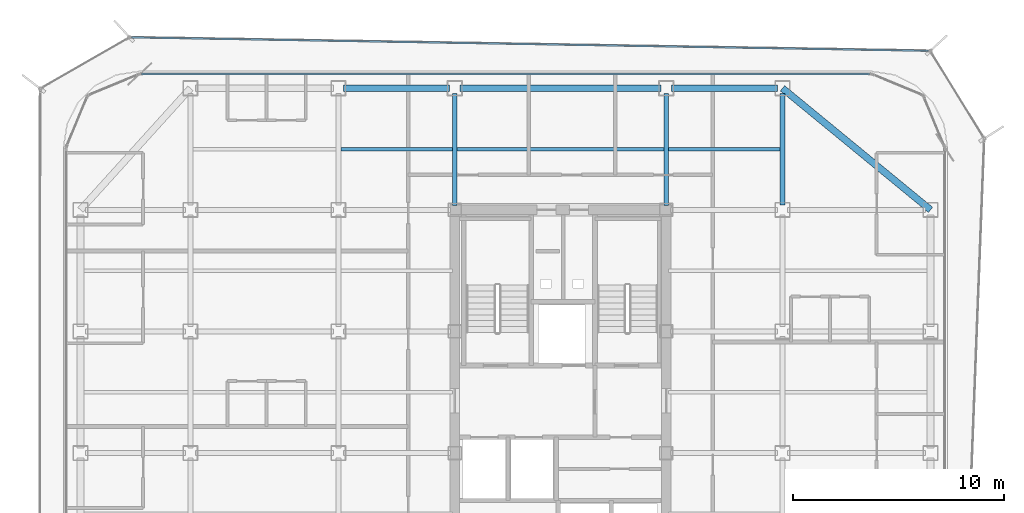
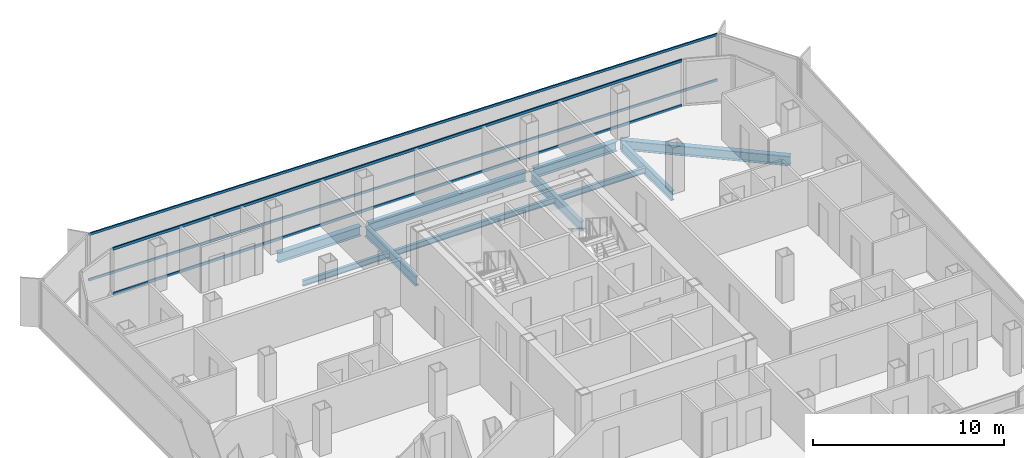
# One storey, part 7 of 16: 10 beams, 4 members, 2 elements without a shape of their own.
"""IFC4 building model written with IfcOpenShell, lengths in metres."""

from ifc_helpers import new_model, si_unit, direction, frame, origin, origin_2d, place, context, subcontext, project, spatial, hollow_rectangle, i_section, extrude, source, transform, mapped, material, layer, layer_set, material_profile, profile_set, type_object, element, aggregate, save


model = new_model("IFC4")

# Units and contexts
model_context = context("Model", 3, precision=1e-05, world=origin(), true_north=direction((0.0, 1.0)))
body_context = subcontext(model_context, "Body", "Model", "MODEL_VIEW")
ifc_project = project(units=[si_unit("LENGTHUNIT", "METRE"), si_unit("AREAUNIT", "SQUARE_METRE"), si_unit("VOLUMEUNIT", "CUBIC_METRE"), si_unit("PLANEANGLEUNIT", "RADIAN"), si_unit("MASSUNIT", "GRAM", prefix="KILO")], contexts=[model_context])

# Site, building, storey
site_placement = place(None, origin())
site = spatial("IfcSite", under=ifc_project, at=site_placement, CompositionType="ELEMENT")
building_placement = place(site_placement, origin())
building = spatial("IfcBuilding", under=site, at=building_placement, Name="Kolveth Station Tower", CompositionType="ELEMENT")
storey_placement = place(building_placement, frame((0.0, 0.0, 156.10009765625)))
storey = spatial("IfcBuildingStorey", under=building, at=storey_placement, Name="L43", CompositionType="ELEMENT", Elevation=156.10009765625)

# Beams
ifc_material_1 = material(Name="Steel S355", Category="steel")
ifc_material_profile_1 = material_profile(ifc_material_1, i_section(OverallWidth=0.323974609375, OverallDepth=0.611083984375, WebThickness=0.0126953125, FlangeThickness=0.01904296875, at=origin_2d()), Name="W610x155")
ifc_profile_set_1 = profile_set([ifc_material_profile_1], Name="Steel S355")
beam_type_1 = type_object("IfcBeamType", Name="Beam_SP2", PredefinedType="SPANDREL", material=ifc_profile_set_1)
shared_shape_1 = source(origin(), body_context, "Body", "SweptSolid", [
    extrude(i_section(OverallWidth=0.323974609375, OverallDepth=0.611083984375, WebThickness=0.0126953125, FlangeThickness=0.01904296875, at=origin_2d()), origin(), (0.0, 0.0, 1.0), 5.02001953125),
])
for number, where, z_axis, x_axis, name in (
    (1, (13.239990234375, 34.5, -0.5556640625), (1.0, 0.0, 0.0), (0.0, 1.0, 0.0), "L43 Perimeter Spandrel BM-L43-PN-2"),
    (2, (28.739990234375, 34.5, -0.5556640625), (1.0, 0.0, 0.0), (0.0, 1.0, 0.0), "L43 Perimeter Spandrel BM-L43-PN-4"),
):
    element("IfcBeam", number, at=place(storey_placement, frame(where, z_axis=z_axis, x_axis=x_axis)), inside=storey, type_object=beam_type_1, Name=name, PredefinedType="SPANDREL", context=body_context, shape_type="MappedRepresentation", body=[
        mapped(shared_shape_1, transform((0.0, 0.0, 0.0), x_axis=(1.0, 0.0, 0.0), y_axis=(0.0, 1.0, 0.0), z_axis=(0.0, 0.0, 1.0), scale=1.0)),
    ])
shared_shape_2 = source(origin(), body_context, "Body", "SweptSolid", [
    extrude(i_section(OverallWidth=0.323974609375, OverallDepth=0.611083984375, WebThickness=0.0126953125, FlangeThickness=0.01904296875, at=origin_2d()), origin(), (0.0, 0.0, 1.0), 9.52001953125),
])
beam_1_placement = place(storey_placement, frame((18.739990234375, 34.5, -0.5556640625), z_axis=(1.0, 0.0, 0.0), x_axis=(0.0, 1.0, 0.0)))
element("IfcBeam", 3, at=beam_1_placement, inside=storey, type_object=beam_type_1, Name="L43 Perimeter Spandrel BM-L43-PN-3", PredefinedType="SPANDREL", context=body_context, shape_type="MappedRepresentation", body=[
    mapped(shared_shape_2, transform((0.0, 0.0, 0.0), x_axis=(1.0, 0.0, 0.0), y_axis=(0.0, 1.0, 0.0), z_axis=(0.0, 0.0, 1.0), scale=1.0)),
])
shared_shape_3 = source(origin(), body_context, "Body", "SweptSolid", [
    extrude(i_section(OverallWidth=0.323974609375, OverallDepth=0.611083984375, WebThickness=0.0126953125, FlangeThickness=0.01904296875, at=origin_2d()), origin(), (0.0, 0.0, 1.0), 9.058837890625),
])
beam_2_placement = place(storey_placement, frame((41.0, 28.75, -0.5556640625), z_axis=(-0.772726254525, 0.63473942336, 0.0), x_axis=(-0.63473942336, -0.772726254525, 0.0)))
element("IfcBeam", 4, at=beam_2_placement, inside=storey, type_object=beam_type_1, Name="L43 Corner Edge Girder BM-L43-CNR-NE", PredefinedType="SPANDREL", context=body_context, shape_type="MappedRepresentation", body=[
    mapped(shared_shape_3, transform((0.0, 0.0, 0.0), x_axis=(1.0, 0.0, 0.0), y_axis=(0.0, 1.0, 0.0), z_axis=(0.0, 0.0, 1.0), scale=1.0)),
])
ifc_material_profile_2 = material_profile(ifc_material_1, i_section(OverallWidth=0.22900390625, OverallDepth=0.612060546875, WebThickness=0.011962890625, FlangeThickness=0.01953125, at=origin_2d()), Name="W610x125")
ifc_profile_set_2 = profile_set([ifc_material_profile_2], Name="Steel S355")
beam_type_2 = type_object("IfcBeamType", Name="Beam_B5", PredefinedType="BEAM", material=ifc_profile_set_2)
shared_shape_4 = source(origin(), body_context, "Body", "SweptSolid", [
    extrude(i_section(OverallWidth=0.22900390625, OverallDepth=0.612060546875, WebThickness=0.011962890625, FlangeThickness=0.01953125, at=origin_2d()), origin(), (0.0, 0.0, 1.0), 5.27001953125),
])
beam_3_placement = place(storey_placement, frame((34.0, 28.989990234375, -0.55615234375), z_axis=(0.0, 1.0, 0.0), x_axis=(-1.0, 0.0, 0.0)))
element("IfcBeam", 5, at=beam_3_placement, inside=storey, type_object=beam_type_2, Name="L43 Primary Girder BM-L43-GX340-6", PredefinedType="BEAM", context=body_context, shape_type="MappedRepresentation", body=[
    mapped(shared_shape_4, transform((0.0, 0.0, 0.0), x_axis=(1.0, 0.0, 0.0), y_axis=(0.0, 1.0, 0.0), z_axis=(0.0, 0.0, 1.0), scale=1.0)),
])
shared_shape_5 = source(origin(), body_context, "Body", "SweptSolid", [
    extrude(i_section(OverallWidth=0.22900390625, OverallDepth=0.612060546875, WebThickness=0.011962890625, FlangeThickness=0.01953125, at=origin_2d()), origin(), (0.0, 0.0, 1.0), 5.31005859375),
])
for number, where, z_axis, x_axis, name in (
    (6, (18.5, 28.949951171875, -0.55615234375), (0.0, 1.0, 0.0), (-1.0, 0.0, 0.0), "L43 Primary Girder BM-L43-GX185-6"),
    (7, (28.5, 28.949951171875, -0.55615234375), (0.0, 1.0, 0.0), (-1.0, 0.0, 0.0), "L43 Primary Girder BM-L43-GX285-6"),
):
    element("IfcBeam", number, at=place(storey_placement, frame(where, z_axis=z_axis, x_axis=x_axis)), inside=storey, type_object=beam_type_2, Name=name, PredefinedType="BEAM", context=body_context, shape_type="MappedRepresentation", body=[
        mapped(shared_shape_5, transform((0.0, 0.0, 0.0), x_axis=(1.0, 0.0, 0.0), y_axis=(0.0, 1.0, 0.0), z_axis=(0.0, 0.0, 1.0), scale=1.0)),
    ])
ifc_material_profile_3 = material_profile(ifc_material_1, i_section(OverallWidth=0.1708984375, OverallDepth=0.35205078125, WebThickness=0.0068359375, FlangeThickness=0.009765625, at=origin_2d()), Name="W360x44")
ifc_profile_set_3 = profile_set([ifc_material_profile_3], Name="Steel S355")
beam_type_3 = type_object("IfcBeamType", Name="Beam_J2", PredefinedType="JOIST", material=ifc_profile_set_3)
shared_shape_6 = source(origin(), body_context, "Body", "SweptSolid", [
    extrude(i_section(OverallWidth=0.1708984375, OverallDepth=0.35205078125, WebThickness=0.0068359375, FlangeThickness=0.009765625, at=origin_2d()), origin(), (0.0, 0.0, 1.0), 5.27490234375),
])
for number, where, z_axis, x_axis, name in (
    (8, (13.112548828125, 31.625, -0.426025390625), (1.0, 0.0, 0.0), (0.0, 1.0, 0.0), "L43 Secondary Joist JST-L43-3-6"),
    (9, (28.612548828125, 31.625, -0.426025390625), (1.0, 0.0, 0.0), (0.0, 1.0, 0.0), "L43 Secondary Joist JST-L43-5-6"),
):
    element("IfcBeam", number, at=place(storey_placement, frame(where, z_axis=z_axis, x_axis=x_axis)), inside=storey, type_object=beam_type_3, Name=name, PredefinedType="JOIST", context=body_context, shape_type="MappedRepresentation", body=[
        mapped(shared_shape_6, transform((0.0, 0.0, 0.0), x_axis=(1.0, 0.0, 0.0), y_axis=(0.0, 1.0, 0.0), z_axis=(0.0, 0.0, 1.0), scale=1.0)),
    ])
shared_shape_7 = source(origin(), body_context, "Body", "SweptSolid", [
    extrude(i_section(OverallWidth=0.1708984375, OverallDepth=0.35205078125, WebThickness=0.0068359375, FlangeThickness=0.009765625, at=origin_2d()), origin(), (0.0, 0.0, 1.0), 9.77490234375),
])
beam_4_placement = place(storey_placement, frame((18.612548828125, 31.625, -0.426025390625), z_axis=(1.0, 0.0, 0.0), x_axis=(0.0, 1.0, 0.0)))
element("IfcBeam", 10, at=beam_4_placement, inside=storey, type_object=beam_type_3, Name="L43 Secondary Joist JST-L43-4-6", PredefinedType="JOIST", context=body_context, shape_type="MappedRepresentation", body=[
    mapped(shared_shape_7, transform((0.0, 0.0, 0.0), x_axis=(1.0, 0.0, 0.0), y_axis=(0.0, 1.0, 0.0), z_axis=(0.0, 0.0, 1.0), scale=1.0)),
])

# Curtain wall, members
ifc_material_2 = material(Name="Aluminium 6063-T6 and low-E dark glass", Category="aluminium")
ifc_layer_1 = layer(ifc_material_2, 0.18994140625)
ifc_layer_set_1 = layer_set([ifc_layer_1], Name="Aluminium 6063-T6 and low-E dark glass")
curtain_wall_type_1 = type_object("IfcCurtainWallType", Name="CurtainWall_CW-Z2", PredefinedType="NOTDEFINED", material=ifc_layer_set_1)
curtain_wall_1_placement = place(storey_placement, origin())
curtain_wall_1 = element("IfcCurtainWall", 11, at=curtain_wall_1_placement, inside=storey, type_object=curtain_wall_type_1, Name="L43 Inner Thermal Curtain Wall 6", PredefinedType="NOTDEFINED")
ifc_material_3 = material(Name="Black anodized aluminium 6063-T6", Category="aluminium")
ifc_material_profile_4 = material_profile(ifc_material_3, hollow_rectangle(XDim=0.080078125, YDim=0.169921875, WallThickness=0.0048828125, at=origin_2d()), Name="ALU-80x170x5")
ifc_profile_set_4 = profile_set([ifc_material_profile_4], Name="Black anodized aluminium 6063-T6")
member_type_1 = type_object("IfcMemberType", Name="Transom_TR2", PredefinedType="USERDEFINED", material=ifc_profile_set_4)
shared_shape_8 = source(origin(), body_context, "Body", "SweptSolid", [
    extrude(hollow_rectangle(XDim=0.080078125, YDim=0.169921875, WallThickness=0.0048828125, at=origin_2d()), origin(), (0.0, 0.0, 1.0), 34.440185546875),
])
member_1_placement = place(storey_placement, frame((38.1201171875, 35.179931640625, 0.039794921875), z_axis=(-1.0, 0.0, 0.0), x_axis=(0.0, -1.0, 0.0)))
member_1 = element("IfcMember", 12, at=member_1_placement, type_object=member_type_1, Name="CW-Z2 transom 1.1", ObjectType="TRANSOM", PredefinedType="USERDEFINED", context=body_context, shape_type="MappedRepresentation", body=[
    mapped(shared_shape_8, transform((0.0, 0.0, 0.0), x_axis=(1.0, 0.0, 0.0), y_axis=(0.0, 1.0, 0.0), z_axis=(0.0, 0.0, 1.0), scale=1.0)),
])
member_2_placement = place(storey_placement, frame((38.1201171875, 35.179931640625, 2.909912109375), z_axis=(-1.0, 0.0, 0.0), x_axis=(0.0, -1.0, 0.0)))
member_2 = element("IfcMember", 13, at=member_2_placement, type_object=member_type_1, Name="CW-Z2 transom 1.2", ObjectType="TRANSOM", PredefinedType="USERDEFINED", context=body_context, shape_type="MappedRepresentation", body=[
    mapped(shared_shape_8, transform((0.0, 0.0, 0.0), x_axis=(1.0, 0.0, 0.0), y_axis=(0.0, 1.0, 0.0), z_axis=(0.0, 0.0, 1.0), scale=1.0)),
])
aggregate(curtain_wall_1, [member_1, member_2])

ifc_material_4 = material(Name="Black anodized aluminium 6063-T6 and dark solar glass", Category="aluminium")
ifc_layer_2 = layer(ifc_material_4, 0.159912109375)
ifc_layer_set_2 = layer_set([ifc_layer_2], Name="Black anodized aluminium 6063-T6 and dark solar glass")
curtain_wall_type_2 = type_object("IfcCurtainWallType", Name="OUTER SKIN CW-OS", PredefinedType="NOTDEFINED", material=ifc_layer_set_2)
curtain_wall_2_placement = place(storey_placement, origin())
curtain_wall_2 = element("IfcCurtainWall", 14, at=curtain_wall_2_placement, inside=storey, type_object=curtain_wall_type_2, Name="L43 Outer Ventilated Skin Curtain Wall 4", PredefinedType="NOTDEFINED")
ifc_material_profile_5 = material_profile(ifc_material_3, hollow_rectangle(XDim=0.080078125, YDim=0.14990234375, WallThickness=0.0048828125, at=origin_2d()), Name="ALU-80x150x5")
ifc_profile_set_5 = profile_set([ifc_material_profile_5], Name="Black anodized aluminium 6063-T6")
member_type_2 = type_object("IfcMemberType", Name="Transom_TR-OS", PredefinedType="USERDEFINED", material=ifc_profile_set_5)
shared_shape_9 = source(origin(), body_context, "Body", "SweptSolid", [
    extrude(hollow_rectangle(XDim=0.080078125, YDim=0.14990234375, WallThickness=0.0048828125, at=origin_2d()), origin(), (0.0, 0.0, 1.0), 37.690673828125),
])
member_3_placement = place(storey_placement, frame((40.90185546875, 36.271240234375, 0.039794921875), z_axis=(-0.999857517316, 0.016880315953, 0.0), x_axis=(-0.016880315953, -0.999857517316, 0.0)))
member_3 = element("IfcMember", 15, at=member_3_placement, type_object=member_type_2, Name="CW-OS transom 1.1", ObjectType="TRANSOM", PredefinedType="USERDEFINED", context=body_context, shape_type="MappedRepresentation", body=[
    mapped(shared_shape_9, transform((0.0, 0.0, 0.0), x_axis=(1.0, 0.0, 0.0), y_axis=(0.0, 1.0, 0.0), z_axis=(0.0, 0.0, 1.0), scale=1.0)),
])
member_4_placement = place(storey_placement, frame((40.90185546875, 36.271240234375, 2.949951171875), z_axis=(-0.999857517316, 0.016880315953, 0.0), x_axis=(-0.016880315953, -0.999857517316, 0.0)))
member_4 = element("IfcMember", 16, at=member_4_placement, type_object=member_type_2, Name="CW-OS transom 1.2", ObjectType="TRANSOM", PredefinedType="USERDEFINED", context=body_context, shape_type="MappedRepresentation", body=[
    mapped(shared_shape_9, transform((0.0, 0.0, 0.0), x_axis=(1.0, 0.0, 0.0), y_axis=(0.0, 1.0, 0.0), z_axis=(0.0, 0.0, 1.0), scale=1.0)),
])
aggregate(curtain_wall_2, [member_3, member_4])

save(model, "model.ifc")
